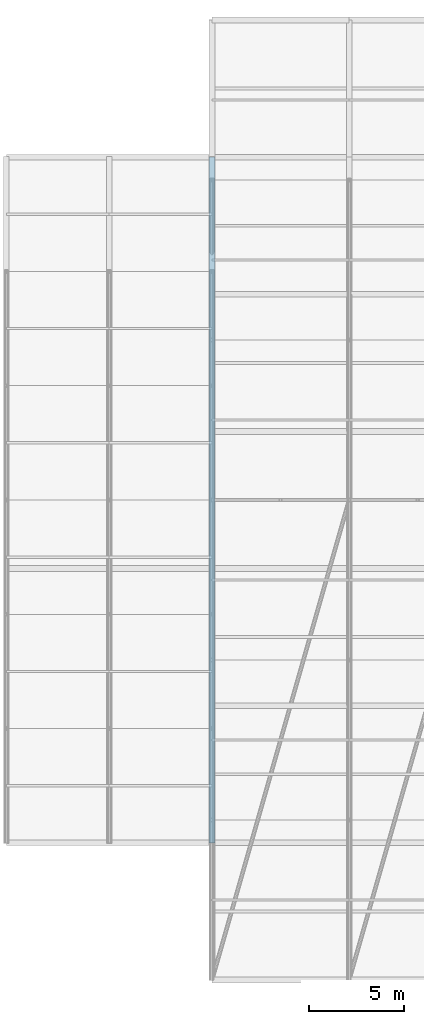
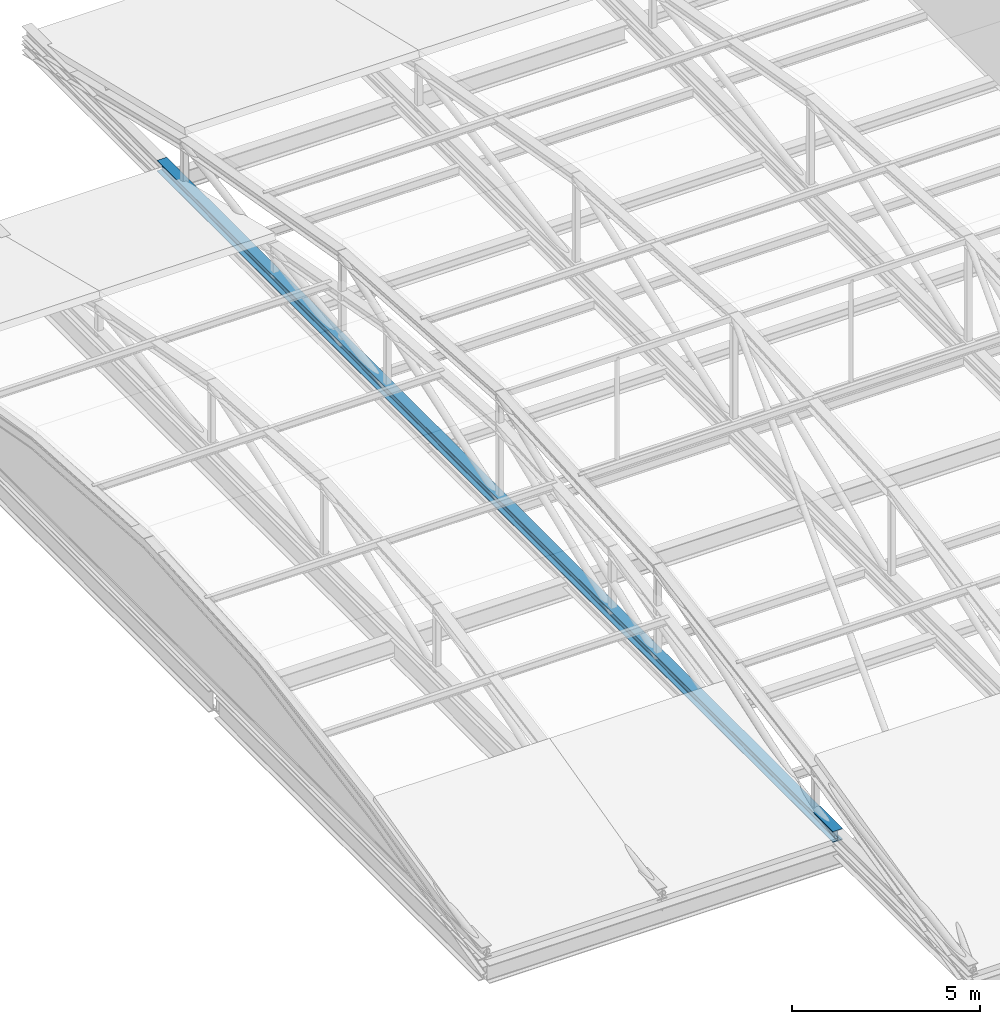
# One storey, part 28 of 76: 1 member.
"""IFC4 building model written with IfcOpenShell, lengths in metres."""

import ifcopenshell
import ifcopenshell.guid

model = None  # the IFC model being written
_history = None  # IfcOwnerHistory: only IFC2X3 demands one
_inside = {}  # id of a spatial element -> (the spatial element, [elements in it])
_under = {}  # id of a project, library or spatial element -> (it, [spatial elements below it])
_declared = {}  # id of a project -> (the project, [libraries it declares])
_typed = {}  # id of a type object -> (the type object, [elements of that type])
_made_of = {}  # id of a material, layer set ... -> (it, [elements and type objects made of it])


def new_model(schema):
    """Start an empty IFC model of exactly this schema.

    Asked for "IFC4X3", IfcOpenShell would pick the latest addendum, in which some entities
    have other attributes; the version numbers below select the first issue.
    IFC2X3 requires an IfcOwnerHistory on every rooted entity: one is made here for all.
    """
    global model, _history
    if schema == "IFC4X3":
        model = ifcopenshell.file(schema_version=(4, 3, 0, 0))
    else:
        model = ifcopenshell.file(schema=schema)
    _inside.clear()
    _under.clear()
    _declared.clear()
    _typed.clear()
    _made_of.clear()
    _history = None
    if model.schema == "IFC2X3":
        org = make("IfcOrganization", Name="unknown")
        user = make(
            "IfcPersonAndOrganization",
            ThePerson=make("IfcPerson", FamilyName="unknown"),
            TheOrganization=org,
        )
        app = make(
            "IfcApplication",
            ApplicationDeveloper=org,
            Version="unknown",
            ApplicationFullName="unknown",
            ApplicationIdentifier="unknown",
        )
        _history = make(
            "IfcOwnerHistory",
            OwningUser=user,
            OwningApplication=app,
            ChangeAction="ADDED",
            CreationDate=0,
        )
    return model


def make(cls, **values):
    """One entity of the class cls with the attributes given. An attribute that is None is left unset."""
    return model.create_entity(
        cls, **{name: value for name, value in values.items() if value is not None}
    )


def rooted(cls, **values):
    """An entity with a GlobalId (a new one), such as an element, a storey or a relation."""
    return make(cls, GlobalId=ifcopenshell.guid.new(), OwnerHistory=_history, **values)


def si_unit(unit_type, name, prefix=None):
    """IfcSIUnit, for example si_unit("LENGTHUNIT", "METRE", prefix="MILLI")."""
    return make("IfcSIUnit", UnitType=unit_type, Prefix=prefix, Name=name)


def assignment(units):
    """IfcUnitAssignment: the units of a project."""
    return None if units is None else make("IfcUnitAssignment", Units=units)


def point(xyz):
    """IfcCartesianPoint."""
    return None if xyz is None else make("IfcCartesianPoint", Coordinates=xyz)


def direction(xyz):
    """IfcDirection."""
    return None if xyz is None else make("IfcDirection", DirectionRatios=xyz)


def frame(location, z_axis=None, x_axis=None):
    """IfcAxis2Placement3D, a coordinate frame: its origin and axes. An axis left out is left unset."""
    return make(
        "IfcAxis2Placement3D",
        Location=point(location),
        Axis=direction(z_axis),
        RefDirection=direction(x_axis),
    )


def frame_2d(location, x_axis=None):
    """IfcAxis2Placement2D, a coordinate frame in the plane: its origin and x axis."""
    return make(
        "IfcAxis2Placement2D", Location=point(location), RefDirection=direction(x_axis)
    )


def origin():
    """The frame at (0, 0, 0) with its axes left unset."""
    return frame((0.0, 0.0, 0.0))


def origin_2d():
    """The frame at (0, 0) in the plane with its x axis left unset."""
    return frame_2d((0.0, 0.0))


def place(relative_to, where):
    """IfcLocalPlacement: puts the frame where relative to a parent placement (None: the world)."""
    return make(
        "IfcLocalPlacement", PlacementRelTo=relative_to, RelativePlacement=where
    )


def context(
    kind, dimensions, precision=None, world=None, true_north=None, identifier=None
):
    """IfcGeometricRepresentationContext, for example the 3D "Model" context."""
    return make(
        "IfcGeometricRepresentationContext",
        ContextIdentifier=identifier,
        ContextType=kind,
        CoordinateSpaceDimension=dimensions,
        Precision=precision,
        WorldCoordinateSystem=world,
        TrueNorth=true_north,
    )


def subcontext(parent, identifier, kind, view, scale=None):
    """IfcGeometricRepresentationSubContext, for example "Body" below "Model"."""
    return make(
        "IfcGeometricRepresentationSubContext",
        ContextIdentifier=identifier,
        ContextType=kind,
        ParentContext=parent,
        TargetScale=scale,
        TargetView=view,
    )


def project(units=None, contexts=None):
    """IfcProject with its units and contexts."""
    return rooted(
        "IfcProject",
        Name="project",
        RepresentationContexts=contexts,
        UnitsInContext=assignment(units),
    )


def spatial(cls, under=None, at=None, **own):
    """A site, building, storey or space (cls), placed at a placement, below another one or the project."""
    s = rooted(cls, ObjectPlacement=at, **own)
    if under is not None:
        _under.setdefault(under.id(), (under, []))[1].append(s)
    return s


def profile(cls, at=None, kind="AREA", **sizes):
    """A parametric profile (cls). Its sizes go by their IFC names, for example OverallWidth=200.0."""
    return make(cls, ProfileType=kind, Position=at, **sizes)


def i_section(**sizes):
    """IfcIShapeProfileDef."""
    return profile("IfcIShapeProfileDef", **sizes)


def extrude(swept, where, along, depth):
    """IfcExtrudedAreaSolid: the profile swept, set in the frame where, extruded along a direction by depth."""
    return make(
        "IfcExtrudedAreaSolid",
        SweptArea=swept,
        Position=where,
        ExtrudedDirection=direction(along),
        Depth=depth,
    )


def shape(context_of_items, identifier, shape_type, items):
    """IfcShapeRepresentation: the items that make up one representation, for example the "Body"."""
    return make(
        "IfcShapeRepresentation",
        ContextOfItems=context_of_items,
        RepresentationIdentifier=identifier,
        RepresentationType=shape_type,
        Items=items,
    )


def material(Name=None, Category=None):
    """IfcMaterial."""
    return make("IfcMaterial", Name=Name, Category=Category)


def material_profile(
    of_material, cross_section, Name=None, Category=None, Priority=None
):
    """IfcMaterialProfile: a cross section and its material."""
    return make(
        "IfcMaterialProfile",
        Name=Name,
        Material=of_material,
        Profile=cross_section,
        Priority=Priority,
        Category=Category,
    )


def profile_set(profiles, Name=None, composite=None):
    """IfcMaterialProfileSet."""
    return make(
        "IfcMaterialProfileSet",
        Name=Name,
        MaterialProfiles=profiles,
        CompositeProfile=composite,
    )


def made_of(thing, what):
    """Note that an element or type object is made of a material, layer set ...; save() writes the relation."""
    if what is not None:
        _made_of.setdefault(what.id(), (what, []))[1].append(thing)
    return thing


def type_object(cls, material=None, **own):
    """A type object (cls), such as IfcWallType, which elements share."""
    return made_of(rooted(cls, **own), material)


def element(
    cls,
    number,
    at=None,
    inside=None,
    cuts=None,
    type_object=None,
    material=None,
    context=None,
    identifier="Body",
    shape_type=None,
    held_by="IfcProductDefinitionShape",
    body=None,
    shapes=None,
    **own,
):
    """One element of the class cls, such as IfcWall. Its Tag is "e" and its number.

    at: its placement. inside: the storey or other place that contains it. cuts: it is an
    opening in that element (IfcRelVoidsElement). A single representation is given by context,
    identifier, shape_type and body (its items); several are given by shapes. held_by: the class
    of the entity that holds the representations. save() writes the other relations.
    """
    e = rooted(cls, Tag="e%d" % number, ObjectPlacement=at, **own)
    if body is not None:
        shapes = [shape(context, identifier, shape_type, body)]
    if shapes is not None:
        e.Representation = make(held_by, Representations=shapes)
    if inside is not None:
        _inside.setdefault(inside.id(), (inside, []))[1].append(e)
    if cuts is not None:
        rooted(
            "IfcRelVoidsElement", RelatingBuildingElement=cuts, RelatedOpeningElement=e
        )
    if type_object is not None:
        _typed.setdefault(type_object.id(), (type_object, []))[1].append(e)
    return made_of(e, material)


def aggregate(whole, parts):
    """IfcRelAggregates: a whole, such as a stair, and the parts it consists of."""
    return rooted("IfcRelAggregates", RelatingObject=whole, RelatedObjects=parts)


def save(model, path):
    """Write the relations noted so far, then the file.

    IfcRelAggregates (storeys below a building ...), IfcRelContainedInSpatialStructure (elements
    in a storey), IfcRelDefinesByType, IfcRelAssociatesMaterial and IfcRelDeclares: one each for
    every whole, place, type object, material and project.
    """
    for whole, parts in _under.values():
        aggregate(whole, parts)
    for where, things in _inside.values():
        rooted(
            "IfcRelContainedInSpatialStructure",
            RelatedElements=things,
            RelatingStructure=where,
        )
    for kind, things in _typed.values():
        rooted("IfcRelDefinesByType", RelatedObjects=things, RelatingType=kind)
    for what, things in _made_of.values():
        rooted("IfcRelAssociatesMaterial", RelatedObjects=things, RelatingMaterial=what)
    for by, libraries in _declared.values():
        rooted("IfcRelDeclares", RelatingContext=by, RelatedDefinitions=libraries)
    model.write(path)


model = new_model("IFC4")

# Units and contexts
model_context = context("Model", 3, precision=1e-05, world=origin(), true_north=direction((0.0, 1.0)))
body_context = subcontext(model_context, "Body", "Model", "MODEL_VIEW")
ifc_project = project(units=[si_unit("LENGTHUNIT", "METRE"), si_unit("AREAUNIT", "SQUARE_METRE"), si_unit("VOLUMEUNIT", "CUBIC_METRE"), si_unit("PLANEANGLEUNIT", "RADIAN"), si_unit("MASSUNIT", "GRAM", prefix="KILO")], contexts=[model_context])

# Site, building, storey
site_placement = place(None, origin())
site = spatial("IfcSite", under=ifc_project, at=site_placement, CompositionType="ELEMENT")
building_placement = place(site_placement, origin())
building = spatial("IfcBuilding", under=site, at=building_placement, Name="Zlatovets Crest Museum", CompositionType="ELEMENT")
storey_placement = place(building_placement, frame((0.0, 0.0, 17.10009765625)))
storey = spatial("IfcBuildingStorey", under=building, at=storey_placement, Name="L04", CompositionType="ELEMENT", Elevation=17.10009765625)

# Member
ifc_material = material(Name="Structural steel S355J2", Category="steel")
ifc_material_profile = material_profile(ifc_material, i_section(OverallWidth=0.300048828125, OverallDepth=0.360107421875, WebThickness=0.012451171875, FlangeThickness=0.0224609375, FilletRadius=0.027099609375, at=origin_2d()), Name="HEB 360")
ifc_profile_set = profile_set([ifc_material_profile], Name="Structural steel S355J2")
member_type = type_object("IfcMemberType", Name="Member_TM-01", PredefinedType="CHORD", material=ifc_profile_set)
member_placement = place(storey_placement, frame((7.199951171875, 57.60009765625, 0.079833984375), z_axis=(0.0, 1.0, 0.0), x_axis=(-1.0, 0.0, 0.0)))
element("IfcMember", 1, at=member_placement, inside=storey, type_object=member_type, Name="V4 Art Nouveau Barrel Vault Tie Chord", PredefinedType="CHORD", context=body_context, shape_type="SweptSolid", body=[
    extrude(i_section(OverallWidth=0.300048828125, OverallDepth=0.360107421875, WebThickness=0.012451171875, FlangeThickness=0.0224609375, FilletRadius=0.027099609375, at=origin_2d()), origin(), (0.0, 0.0, 1.0), 36.0),
])

save(model, "model.ifc")
